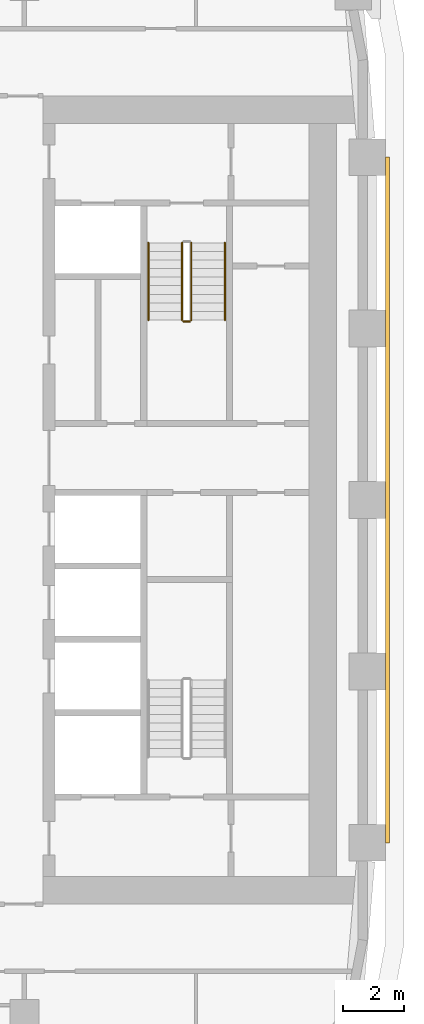
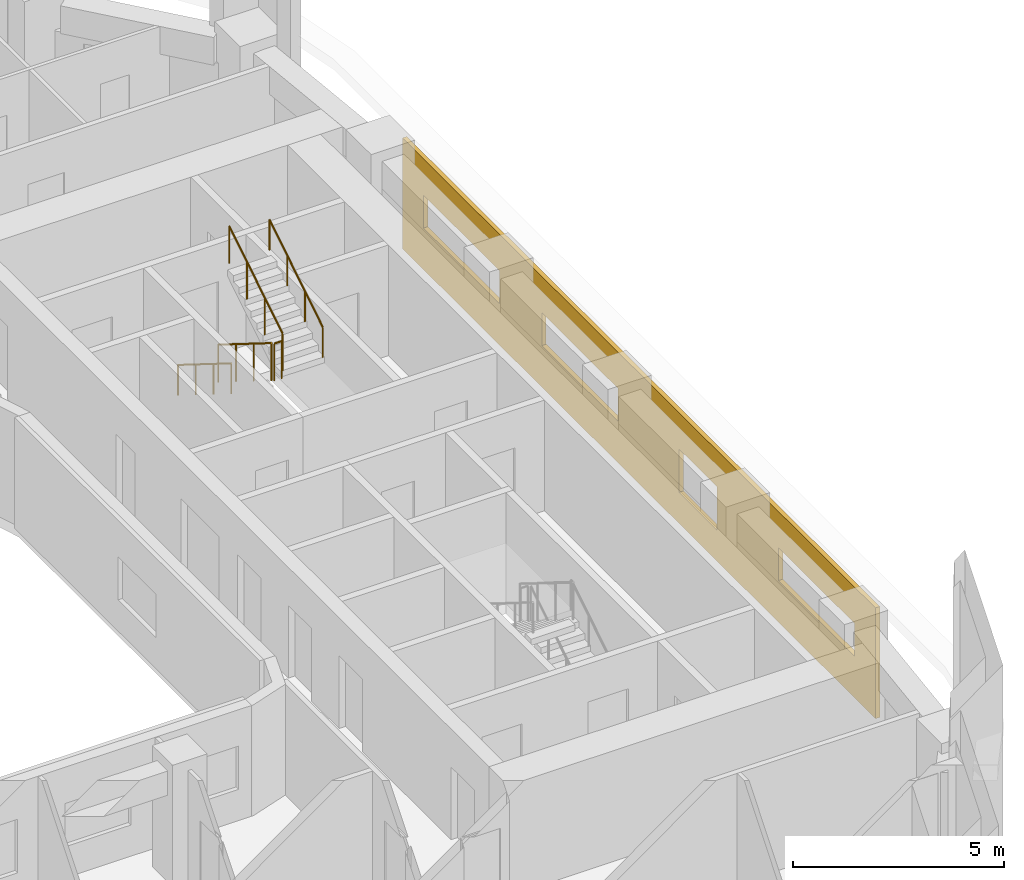
# One storey, part 20 of 23: 5 railings, 1 covering.
"""IFC4 building model written with IfcOpenShell, lengths in metres."""

from ifc_helpers import new_model, si_unit, direction, frame, origin, origin_2d, place, context, subcontext, project, spatial, polyline, circle, outline, extrude, material, layer, layer_set, type_object, element, save


model = new_model("IFC4")

# Units and contexts
model_context = context("Model", 3, precision=1e-05, world=origin(), true_north=direction((0.0, 1.0)))
body_context = subcontext(model_context, "Body", "Model", "MODEL_VIEW")
ifc_project = project(units=[si_unit("LENGTHUNIT", "METRE"), si_unit("AREAUNIT", "SQUARE_METRE"), si_unit("VOLUMEUNIT", "CUBIC_METRE"), si_unit("PLANEANGLEUNIT", "RADIAN"), si_unit("MASSUNIT", "GRAM", prefix="KILO")], contexts=[model_context])

# Site, building, storey
site_placement = place(None, origin())
site = spatial("IfcSite", under=ifc_project, at=site_placement, CompositionType="ELEMENT")
building_placement = place(site_placement, origin())
building = spatial("IfcBuilding", under=site, at=building_placement, Name="Kiln Ring Residences", CompositionType="ELEMENT")
storey_placement = place(building_placement, frame((0.0, 0.0, 107.800048828125)))
storey = spatial("IfcBuildingStorey", under=building, at=storey_placement, Name="L27", CompositionType="ELEMENT", Elevation=107.800048828125)

# Railings
ifc_material_1 = material(Name="Stainless steel", Category="steel")
railing_type_1 = type_object("IfcRailingType", Name="CORE-STAIR-GUARD", PredefinedType="GUARDRAIL", material=ifc_material_1)
railing_1_placement = place(storey_placement, frame((21.949951171875, 8.39990234375, 0.175048828125)))
element("IfcRailing", 1, at=railing_1_placement, inside=storey, type_object=railing_type_1, Name="L27 E-STN stair guard 1", PredefinedType="GUARDRAIL", context=body_context, shape_type="SweptSolid", body=[
    extrude(circle(Radius=0.02392578125, at=origin_2d()), frame((0.0, 0.0, 1.076171875), z_axis=(0.0, -0.848007534815, 0.529984170421), x_axis=(1.0, 0.0, 0.0)), (0.0, 0.0, 1.0), 2.9716796875),
    extrude(circle(Radius=0.02099609375, at=origin_2d()), origin(), (0.0, 0.0, 1.0), 1.052001953125),
    extrude(circle(Radius=0.02099609375, at=origin_2d()), frame((0.0, -0.840087890625, 0.52490234375)), (0.0, 0.0, 1.0), 1.052001953125),
    extrude(circle(Radius=0.02099609375, at=origin_2d()), frame((0.0, -1.679931640625, 1.050048828125)), (0.0, 0.0, 1.0), 1.052001953125),
    extrude(circle(Radius=0.02099609375, at=origin_2d()), frame((0.0, -2.52001953125, 1.574951171875)), (0.0, 0.0, 1.0), 1.052001953125),
])
railing_2_placement = place(storey_placement, frame((22.0, 5.830078125, 1.75)))
element("IfcRailing", 2, at=railing_2_placement, inside=storey, type_object=railing_type_1, Name="L27 E-STN stair guard 2", PredefinedType="GUARDRAIL", context=body_context, shape_type="SweptSolid", body=[
    extrude(circle(Radius=0.02392578125, at=origin_2d()), frame((0.0, 0.0, 1.076171875), z_axis=(1.0, 0.0, 0.0), x_axis=(0.0, 1.0, 0.0)), (0.0, 0.0, 1.0), 0.199951171875),
    extrude(circle(Radius=0.02099609375, at=origin_2d()), origin(), (0.0, 0.0, 1.0), 1.052001953125),
    extrude(circle(Radius=0.02099609375, at=origin_2d()), frame((0.199951171875, 0.0, 0.0)), (0.0, 0.0, 1.0), 1.052001953125),
])
railing_3_placement = place(storey_placement, frame((22.25, 5.8798828125, 1.925048828125)))
element("IfcRailing", 3, at=railing_3_placement, inside=storey, type_object=railing_type_1, Name="L27 E-STN stair guard 3", PredefinedType="GUARDRAIL", context=body_context, shape_type="SweptSolid", body=[
    extrude(circle(Radius=0.02392578125, at=origin_2d()), frame((0.0, 0.0, 1.076171875), z_axis=(0.0, 0.848007534815, 0.529984170421), x_axis=(-1.0, 0.0, 0.0)), (0.0, 0.0, 1.0), 2.9716796875),
    extrude(circle(Radius=0.02099609375, at=origin_2d()), origin(), (0.0, 0.0, 1.0), 1.052001953125),
    extrude(circle(Radius=0.02099609375, at=origin_2d()), frame((0.0, 0.840087890625, 0.52490234375)), (0.0, 0.0, 1.0), 1.052001953125),
    extrude(circle(Radius=0.02099609375, at=origin_2d()), frame((0.0, 1.679931640625, 1.050048828125)), (0.0, 0.0, 1.0), 1.052001953125),
    extrude(circle(Radius=0.02099609375, at=origin_2d()), frame((0.0, 2.52001953125, 1.574951171875)), (0.0, 0.0, 1.0), 1.052001953125),
])
ifc_material_2 = material(Name="Stainless steel", Category="steel")
railing_type_2 = type_object("IfcRailingType", Name="CORE-STAIR-HANDRAIL", PredefinedType="HANDRAIL", material=ifc_material_2)
railing_4_placement = place(storey_placement, frame((20.85009765625, 8.39990234375, 0.175048828125)))
element("IfcRailing", 4, at=railing_4_placement, inside=storey, type_object=railing_type_2, Name="L27 E-STN stair handrail 1", PredefinedType="HANDRAIL", context=body_context, shape_type="SweptSolid", body=[
    extrude(circle(Radius=0.02392578125, at=origin_2d()), frame((0.0, 0.0, 0.8759765625), z_axis=(0.0, -0.848007534815, 0.529984170421), x_axis=(1.0, 0.0, 0.0)), (0.0, 0.0, 1.0), 2.9716796875),
    extrude(circle(Radius=0.02099609375, at=origin_2d()), origin(), (0.0, 0.0, 1.0), 0.851806640625),
    extrude(circle(Radius=0.02099609375, at=origin_2d()), frame((0.0, -0.840087890625, 0.52490234375)), (0.0, 0.0, 1.0), 0.851806640625),
    extrude(circle(Radius=0.02099609375, at=origin_2d()), frame((0.0, -1.679931640625, 1.050048828125)), (0.0, 0.0, 1.0), 0.851806640625),
    extrude(circle(Radius=0.02099609375, at=origin_2d()), frame((0.0, -2.52001953125, 1.574951171875)), (0.0, 0.0, 1.0), 0.851806640625),
])
railing_5_placement = place(storey_placement, frame((23.35009765625, 5.8798828125, 1.925048828125)))
element("IfcRailing", 5, at=railing_5_placement, inside=storey, type_object=railing_type_2, Name="L27 E-STN stair handrail 2", PredefinedType="HANDRAIL", context=body_context, shape_type="SweptSolid", body=[
    extrude(circle(Radius=0.02392578125, at=origin_2d()), frame((0.0, 0.0, 0.8759765625), z_axis=(0.0, 0.848007534815, 0.529984170421), x_axis=(-1.0, 0.0, 0.0)), (0.0, 0.0, 1.0), 2.9716796875),
    extrude(circle(Radius=0.02099609375, at=origin_2d()), origin(), (0.0, 0.0, 1.0), 0.851806640625),
    extrude(circle(Radius=0.02099609375, at=origin_2d()), frame((0.0, 0.840087890625, 0.52490234375)), (0.0, 0.0, 1.0), 0.851806640625),
    extrude(circle(Radius=0.02099609375, at=origin_2d()), frame((0.0, 1.679931640625, 1.050048828125)), (0.0, 0.0, 1.0), 0.851806640625),
    extrude(circle(Radius=0.02099609375, at=origin_2d()), frame((0.0, 2.52001953125, 1.574951171875)), (0.0, 0.0, 1.0), 0.851806640625),
])

# Covering
ifc_material_3 = material(Name="Brick masonry, dark clay brick", Category="masonry")
ifc_layer = layer(ifc_material_3, 0.1201171875)
ifc_layer_set = layer_set([ifc_layer], Name="RAINSCREEN PANEL 120")
covering_type = type_object("IfcCoveringType", Name="RAINSCREEN PANEL 120", PredefinedType="CLADDING", material=ifc_layer_set)
covering_placement = place(storey_placement, frame((28.659912109375, -11.199951171875, 0.0), z_axis=(0.0, 0.0, 1.0), x_axis=(0.0, 1.0, 0.0)))
element("IfcCovering", 6, at=covering_placement, inside=storey, type_object=covering_type, Name="RAINSCREEN L27", PredefinedType="CLADDING", context=body_context, shape_type="SweptSolid", body=[
    extrude(outline(polyline([(0.0, 0.0), (22.39990234375, 0.0), (22.39990234375, 3.199951171875), (0.0, 3.199951171875), (0.0, 0.0)]), holes=[polyline([(9.300048828125, 0.89990234375), (9.300048828125, 2.14990234375), (7.5, 2.14990234375), (7.5, 0.89990234375), (9.300048828125, 0.89990234375)]), polyline([(4.60009765625, 1.199951171875), (4.60009765625, 2.14990234375), (1.0, 2.14990234375), (1.0, 1.199951171875), (4.60009765625, 1.199951171875)]), polyline([(15.800048828125, 1.199951171875), (15.800048828125, 2.14990234375), (12.199951171875, 2.14990234375), (12.199951171875, 1.199951171875), (15.800048828125, 1.199951171875)]), polyline([(21.39990234375, 1.199951171875), (21.39990234375, 2.14990234375), (17.800048828125, 2.14990234375), (17.800048828125, 1.199951171875), (21.39990234375, 1.199951171875)])]), frame((0.0, 0.06005859375, 0.0), z_axis=(0.0, -1.0, 0.0), x_axis=(1.0, 0.0, 0.0)), (0.0, 0.0, 1.0), 0.1201171875),
])

save(model, "model.ifc")
